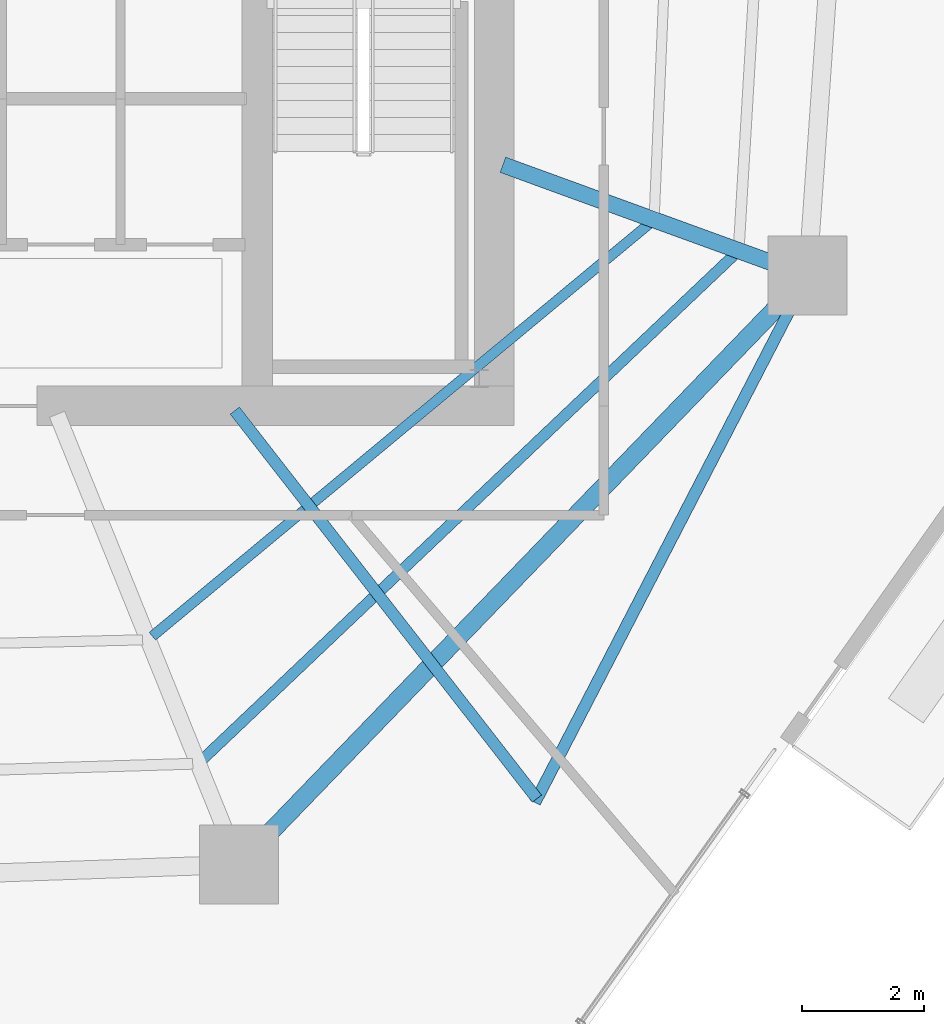
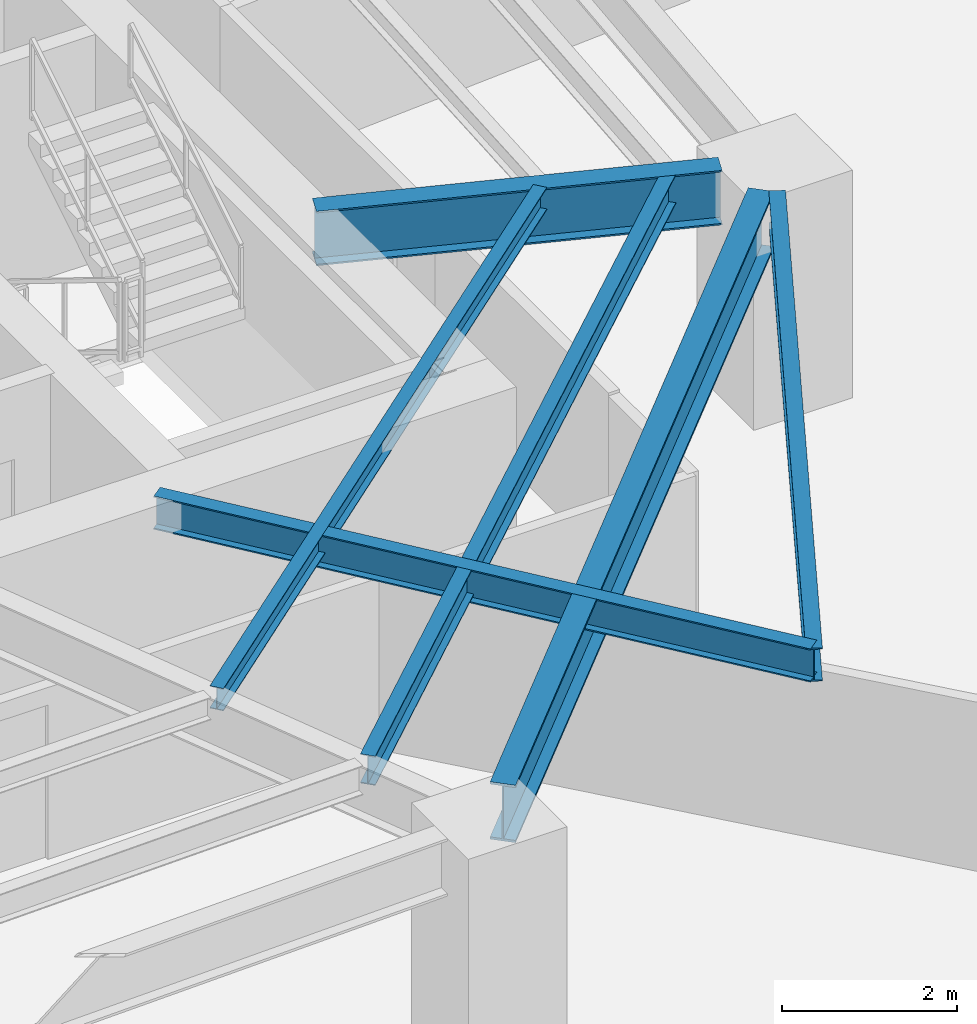
# One storey, part 12 of 30: 6 beams.
"""IFC4 building model written with IfcOpenShell, lengths in metres."""

from ifc_helpers import new_model, si_unit, direction, frame, origin, origin_2d, place, context, subcontext, project, spatial, i_section, extrude, material, material_profile, profile_set, type_object, element, save


model = new_model("IFC4")

# Units and contexts
model_context = context("Model", 3, precision=1e-05, world=origin(), true_north=direction((0.0, 1.0)))
body_context = subcontext(model_context, "Body", "Model", "MODEL_VIEW")
ifc_project = project(units=[si_unit("LENGTHUNIT", "METRE"), si_unit("AREAUNIT", "SQUARE_METRE"), si_unit("VOLUMEUNIT", "CUBIC_METRE"), si_unit("PLANEANGLEUNIT", "RADIAN"), si_unit("MASSUNIT", "GRAM", prefix="KILO")], contexts=[model_context])

# Site, building, storey
site_placement = place(None, origin())
site = spatial("IfcSite", under=ifc_project, at=site_placement, CompositionType="ELEMENT")
building_placement = place(site_placement, origin())
building = spatial("IfcBuilding", under=site, at=building_placement, Name="Qarnah Convention Tower", CompositionType="ELEMENT")
storey_placement = place(building_placement, frame((0.0, 0.0, 47.699951171875)))
storey = spatial("IfcBuildingStorey", under=building, at=storey_placement, Name="L11", CompositionType="ELEMENT", Elevation=47.699951171875)

# Beams
ifc_material = material(Name="Structural steel S355JR", Category="steel")
ifc_material_profile_1 = material_profile(ifc_material, i_section(OverallWidth=0.19189453125, OverallDepth=0.464111328125, WebThickness=0.010986328125, FlangeThickness=0.01806640625, at=origin_2d()), Name="W460X89")
ifc_profile_set_1 = profile_set([ifc_material_profile_1], Name="Structural steel S355JR")
beam_type_1 = type_object("IfcBeamType", Name="BM-CANT-W460A", PredefinedType="BEAM", material=ifc_profile_set_1)
beam_1_placement = place(storey_placement, frame((43.3310546875, 18.52099609375, 2.93798828125), z_axis=(0.61429570134, -0.789075909729, 0.0), x_axis=(0.789075909729, 0.61429570134, 0.0)))
element("IfcBeam", 1, at=beam_1_placement, inside=storey, type_object=beam_type_1, Name="L11 beam BM-L11-CNT-03-2", PredefinedType="BEAM", context=body_context, shape_type="SweptSolid", body=[
    extrude(i_section(OverallWidth=0.19189453125, OverallDepth=0.464111328125, WebThickness=0.010986328125, FlangeThickness=0.01806640625, at=origin_2d()), origin(), (0.0, 0.0, 1.0), 8.090576171875),
])
beam_2_placement = place(storey_placement, frame((48.26904296875, 12.074951171875, 2.93798828125), z_axis=(0.459489942742, 0.888182972432, 0.0), x_axis=(-0.888182972432, 0.459489942742, 0.0)))
element("IfcBeam", 2, at=beam_2_placement, inside=storey, type_object=beam_type_1, Name="L11 spandrel BM-L11-CTIE-03", PredefinedType="SPANDREL", context=body_context, shape_type="SweptSolid", body=[
    extrude(i_section(OverallWidth=0.19189453125, OverallDepth=0.464111328125, WebThickness=0.010986328125, FlangeThickness=0.01806640625, at=origin_2d()), origin(), (0.0, 0.0, 1.0), 9.116455078125),
])
ifc_material_profile_2 = material_profile(ifc_material, i_section(OverallWidth=0.166015625, OverallDepth=0.31201171875, WebThickness=0.007080078125, FlangeThickness=0.010986328125, at=origin_2d()), Name="W310X45")
ifc_profile_set_2 = profile_set([ifc_material_profile_2], Name="Structural steel S355JR")
beam_type_2 = type_object("IfcBeamType", Name="BM-JST-W310", PredefinedType="JOIST", material=ifc_profile_set_2)
beam_3_placement = place(storey_placement, frame((41.97509765625, 14.80908203125, 3.01416015625), z_axis=(0.769463521511, 0.638690761687, 0.0), x_axis=(-0.638690761687, 0.769463521511, 0.0)))
element("IfcBeam", 3, at=beam_3_placement, inside=storey, type_object=beam_type_2, Name="L11 joist BM-L11-IJST-08", PredefinedType="JOIST", context=body_context, shape_type="SweptSolid", body=[
    extrude(i_section(OverallWidth=0.166015625, OverallDepth=0.31201171875, WebThickness=0.007080078125, FlangeThickness=0.010986328125, at=origin_2d()), origin(), (0.0, 0.0, 1.0), 10.6357421875),
])
ifc_material_profile_3 = material_profile(ifc_material, i_section(OverallWidth=0.177978515625, OverallDepth=0.407958984375, WebThickness=0.008056640625, FlangeThickness=0.012939453125, at=origin_2d()), Name="W410X60")
ifc_profile_set_3 = profile_set([ifc_material_profile_3], Name="Structural steel S355JR")
beam_type_3 = type_object("IfcBeamType", Name="BM-JST-W410", PredefinedType="JOIST", material=ifc_profile_set_3)
beam_4_placement = place(storey_placement, frame((42.7939453125, 12.777099609375, 2.966064453125), z_axis=(0.725372328133, 0.688356728433, 0.0), x_axis=(-0.688356728433, 0.725372328133, 0.0)))
element("IfcBeam", 4, at=beam_4_placement, inside=storey, type_object=beam_type_3, Name="L11 joist BM-L11-SJST-08", PredefinedType="JOIST", context=body_context, shape_type="SweptSolid", body=[
    extrude(i_section(OverallWidth=0.177978515625, OverallDepth=0.407958984375, WebThickness=0.008056640625, FlangeThickness=0.012939453125, at=origin_2d()), origin(), (0.0, 0.0, 1.0), 12.07666015625),
])
ifc_material_profile_4 = material_profile(ifc_material, i_section(OverallWidth=0.26806640625, OverallDepth=0.760009765625, WebThickness=0.014892578125, FlangeThickness=0.02197265625, at=origin_2d()), Name="W760X185")
ifc_profile_set_4 = profile_set([ifc_material_profile_4], Name="Structural steel S355JR")
beam_type_4 = type_object("IfcBeamType", Name="BM-RAD-W760", PredefinedType="BEAM", material=ifc_profile_set_4)
beam_5_placement = place(storey_placement, frame((47.740966796875, 22.56396484375, 2.7900390625), z_axis=(0.939656930297, -0.342118186224, 0.0), x_axis=(0.342118186224, 0.939656930297, 0.0)))
element("IfcBeam", 5, at=beam_5_placement, inside=storey, type_object=beam_type_4, Name="L11 beam BM-L11-RAD-09", PredefinedType="BEAM", context=body_context, shape_type="SweptSolid", body=[
    extrude(i_section(OverallWidth=0.26806640625, OverallDepth=0.760009765625, WebThickness=0.014892578125, FlangeThickness=0.02197265625, at=origin_2d()), origin(), (0.0, 0.0, 1.0), 4.70263671875),
])
ifc_material_profile_5 = material_profile(ifc_material, i_section(OverallWidth=0.300048828125, OverallDepth=0.800048828125, WebThickness=0.01806640625, FlangeThickness=0.032958984375, at=origin_2d()), Name="HEB800")
ifc_profile_set_5 = profile_set([ifc_material_profile_5], Name="Structural steel S355JR")
beam_type_5 = type_object("IfcBeamType", Name="BM-RING-HEB800", PredefinedType="BEAM", material=ifc_profile_set_5)
beam_6_placement = place(storey_placement, frame((43.844970703125, 11.514892578125, 2.77001953125), z_axis=(0.694553028655, 0.719441512832, 0.0), x_axis=(-0.719441512832, 0.694553028655, 0.0)))
element("IfcBeam", 6, at=beam_6_placement, inside=storey, type_object=beam_type_5, Name="L11 beam BM-L11-SPN-08", PredefinedType="BEAM", context=body_context, shape_type="SweptSolid", body=[
    extrude(i_section(OverallWidth=0.300048828125, OverallDepth=0.800048828125, WebThickness=0.01806640625, FlangeThickness=0.032958984375, at=origin_2d()), origin(), (0.0, 0.0, 1.0), 12.183349609375),
])

save(model, "model.ifc")
